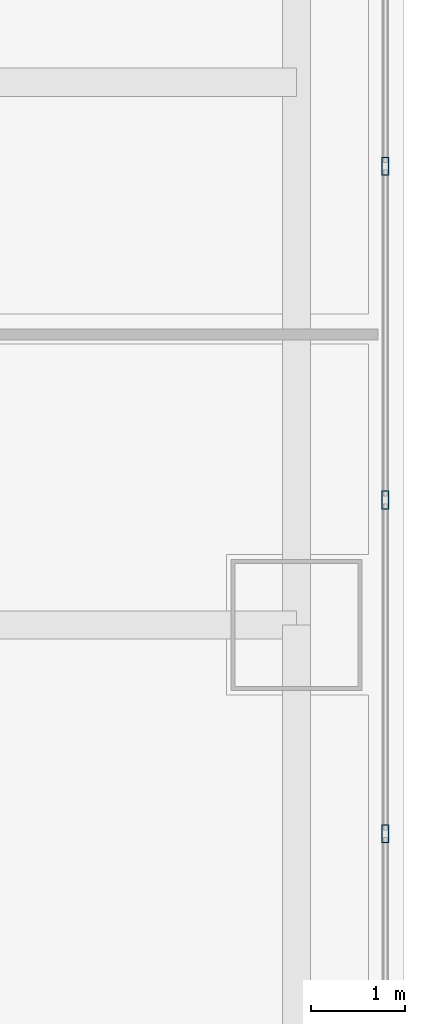
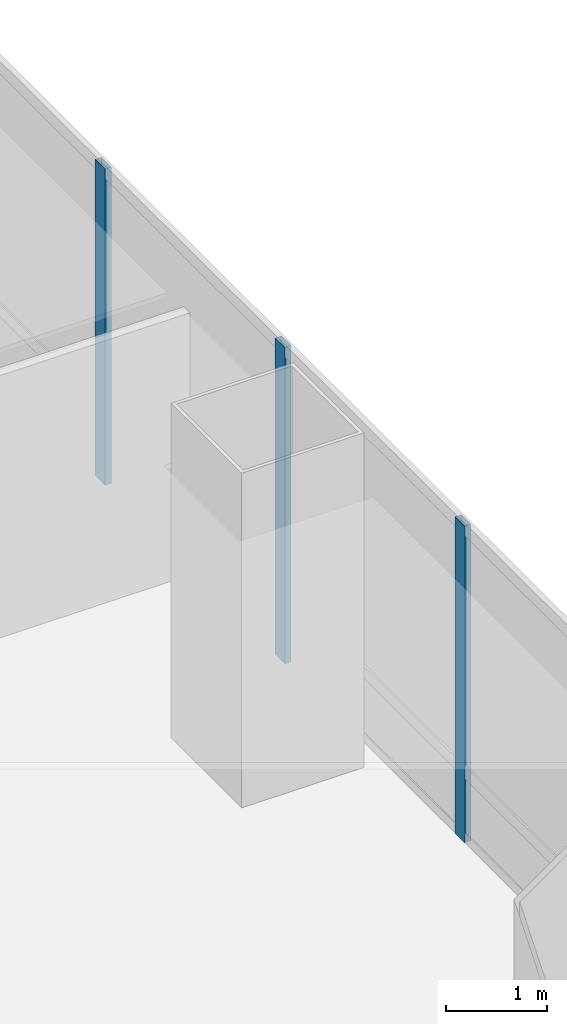
# One storey, part 17 of 36: 3 members, 1 element without a shape of its own.
"""IFC4 building model written with IfcOpenShell, lengths in metres."""

from ifc_helpers import new_model, si_unit, direction, frame, origin, origin_2d, place, context, subcontext, project, spatial, hollow_rectangle, extrude, material, material_profile, profile_set, type_object, element, aggregate, save


model = new_model("IFC4")

# Units and contexts
model_context = context("Model", 3, precision=1e-05, world=origin(), true_north=direction((0.0, 1.0)))
body_context = subcontext(model_context, "Body", "Model", "MODEL_VIEW")
ifc_project = project(units=[si_unit("LENGTHUNIT", "METRE"), si_unit("AREAUNIT", "SQUARE_METRE"), si_unit("VOLUMEUNIT", "CUBIC_METRE"), si_unit("PLANEANGLEUNIT", "RADIAN"), si_unit("MASSUNIT", "GRAM", prefix="KILO")], contexts=[model_context])

# Site, building, storey
site_placement = place(None, origin())
site = spatial("IfcSite", under=ifc_project, at=site_placement, CompositionType="ELEMENT")
building_placement = place(site_placement, origin())
building = spatial("IfcBuilding", under=site, at=building_placement, Name="Punatoya Terracotta Tower", CompositionType="ELEMENT")
storey_placement = place(building_placement, frame((0.0, 0.0, 184.35009765625)))
storey = spatial("IfcBuildingStorey", under=building, at=storey_placement, Name="L43", CompositionType="ELEMENT", Elevation=184.35009765625)

# Curtain wall, members
ifc_material_1 = material(Name="Aluminium 6063-T6 + Double Low-E Glass", Category="aluminium")
curtain_wall_type = type_object("IfcCurtainWallType", Name="CW-M2", PredefinedType="NOTDEFINED", material=ifc_material_1)
curtain_wall_placement = place(storey_placement, origin())
curtain_wall = element("IfcCurtainWall", 1, at=curtain_wall_placement, inside=storey, type_object=curtain_wall_type, Name="L43 Curtain Wall CW-L43-E05-1", PredefinedType="NOTDEFINED")
ifc_material_2 = material(Name="Aluminium 6063-T6", Category="aluminium")
ifc_material_profile = material_profile(ifc_material_2, hollow_rectangle(XDim=0.072021484375, YDim=0.195068359375, WallThickness=0.00439453125, at=origin_2d()))
ifc_profile_set = profile_set([ifc_material_profile], Name="Aluminium 6063-T6")
member_type = type_object("IfcMemberType", Name="CW-MUL-M2", PredefinedType="MULLION", material=ifc_profile_set)
member_1_placement = place(storey_placement, frame((20.050048828125, 1.16748046875, 0.0), z_axis=(0.0, 0.0, 1.0), x_axis=(1.0, 0.0, 0.0)))
member_1 = element("IfcMember", 2, at=member_1_placement, type_object=member_type, Name="CW-L43-E05-1 Mullion 06", PredefinedType="MULLION", context=body_context, shape_type="SweptSolid", body=[
    extrude(hollow_rectangle(XDim=0.072021484375, YDim=0.195068359375, WallThickness=0.00439453125, at=origin_2d()), origin(), (0.0, 0.0, 1.0), 3.829833984375),
])
member_2_placement = place(storey_placement, frame((20.050048828125, 4.73486328125, 0.0), z_axis=(0.0, 0.0, 1.0), x_axis=(1.0, 0.0, 0.0)))
member_2 = element("IfcMember", 3, at=member_2_placement, type_object=member_type, Name="CW-L43-E05-1 Mullion 07", PredefinedType="MULLION", context=body_context, shape_type="SweptSolid", body=[
    extrude(hollow_rectangle(XDim=0.072021484375, YDim=0.195068359375, WallThickness=0.00439453125, at=origin_2d()), origin(), (0.0, 0.0, 1.0), 3.829833984375),
])
member_3_placement = place(storey_placement, frame((20.050048828125, 8.302001953125, 0.0), z_axis=(0.0, 0.0, 1.0), x_axis=(1.0, 0.0, 0.0)))
member_3 = element("IfcMember", 4, at=member_3_placement, type_object=member_type, Name="CW-L43-E05-1 Mullion 08", PredefinedType="MULLION", context=body_context, shape_type="SweptSolid", body=[
    extrude(hollow_rectangle(XDim=0.072021484375, YDim=0.195068359375, WallThickness=0.00439453125, at=origin_2d()), origin(), (0.0, 0.0, 1.0), 3.829833984375),
])
aggregate(curtain_wall, [member_1, member_2, member_3])

save(model, "model.ifc")
